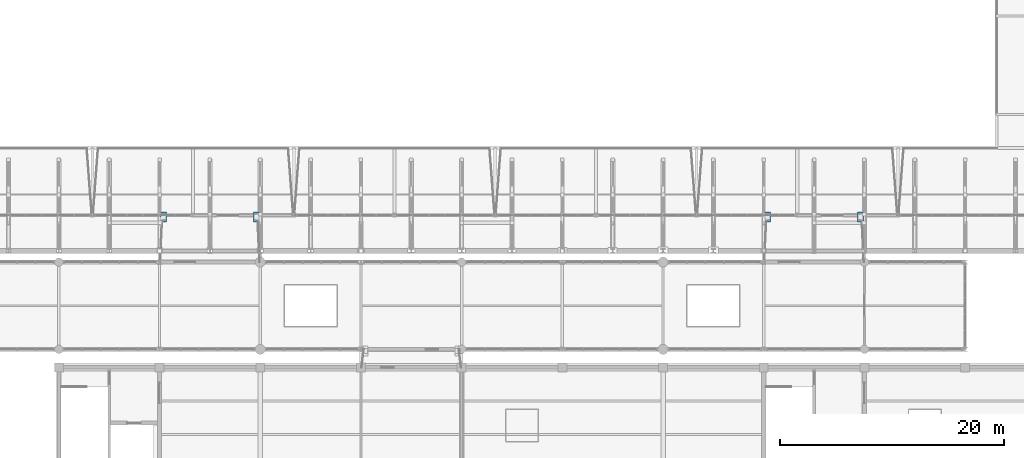
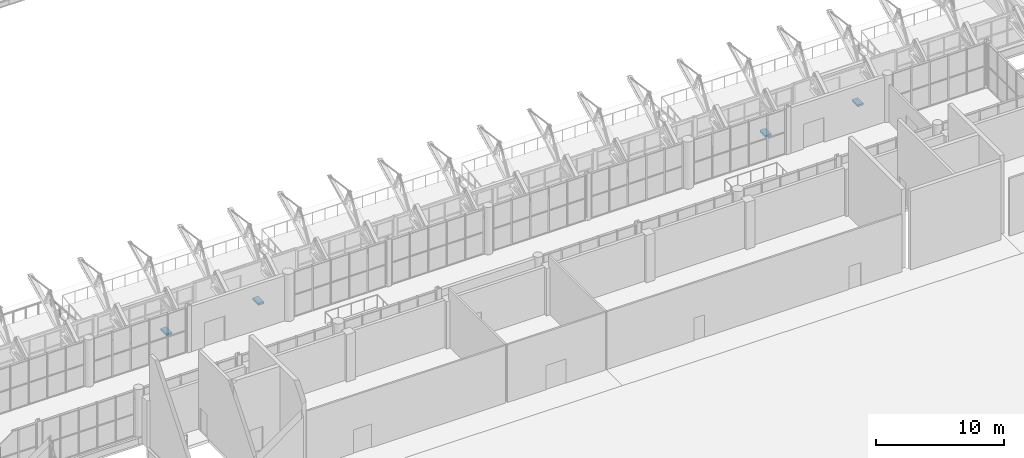
# One storey, part 122 of 134: 4 discrete accessories.
"""IFC4 building model written with IfcOpenShell, lengths in metres."""

from ifc_helpers import new_model, si_unit, direction, frame, origin, origin_2d, place, context, subcontext, project, spatial, rectangle, extrude, material, type_object, element, save


model = new_model("IFC4")

# Units and contexts
model_context = context("Model", 3, precision=1e-05, world=origin(), true_north=direction((0.0, 1.0)))
body_context = subcontext(model_context, "Body", "Model", "MODEL_VIEW")
ifc_project = project(units=[si_unit("LENGTHUNIT", "METRE"), si_unit("AREAUNIT", "SQUARE_METRE"), si_unit("VOLUMEUNIT", "CUBIC_METRE"), si_unit("PLANEANGLEUNIT", "RADIAN"), si_unit("MASSUNIT", "GRAM", prefix="KILO")], contexts=[model_context])

# Site, building, storey
site_placement = place(None, origin())
site = spatial("IfcSite", under=ifc_project, at=site_placement, CompositionType="ELEMENT")
building_placement = place(site_placement, origin())
building = spatial("IfcBuilding", under=site, at=building_placement, Name="Cazmaro Siding Exhibition Halls", CompositionType="ELEMENT")
storey_placement = place(building_placement, frame((0.0, 0.0, 12.0)))
storey = spatial("IfcBuildingStorey", under=building, at=storey_placement, Name="L02", CompositionType="ELEMENT", Elevation=12.0)

# Discrete accessories
ifc_material = material(Name="Steel ASTM A572 Grade 50", Category="steel")
discrete_accessory_type = type_object("IfcDiscreteAccessoryType", Name="SBK-SEAT-01", PredefinedType="BRACKET", material=ifc_material)
for number, where, z_axis, x_axis, name in (
    (1, (81.35009765625, 67.050048828125, -0.7509765625), (0.0, 0.0, 1.0), (1.0, 0.0, 0.0), "Bridge Sliding Seat Corbel 900mm SB-01 L02"),
    (2, (89.64990234375, 67.050048828125, -0.7509765625), (0.0, 0.0, 1.0), (1.0, 0.0, 0.0), "Bridge Sliding Seat Corbel 900mm SB-01 L02"),
    (3, (135.35009765625, 67.050048828125, -0.7509765625), (0.0, 0.0, 1.0), (1.0, 0.0, 0.0), "Bridge Sliding Seat Corbel 900mm SB-02 L02"),
    (4, (143.64990234375, 67.050048828125, -0.7509765625), (0.0, 0.0, 1.0), (1.0, 0.0, 0.0), "Bridge Sliding Seat Corbel 900mm SB-02 L02"),
):
    element("IfcDiscreteAccessory", number, at=place(storey_placement, frame(where, z_axis=z_axis, x_axis=x_axis)), inside=storey, type_object=discrete_accessory_type, Name=name, PredefinedType="BRACKET", context=body_context, shape_type="SweptSolid", body=[
        extrude(rectangle(XDim=0.52001953125, YDim=0.89990234375, at=origin_2d()), origin(), (0.0, 0.0, 1.0), 0.179931640625),
    ])

save(model, "model.ifc")
